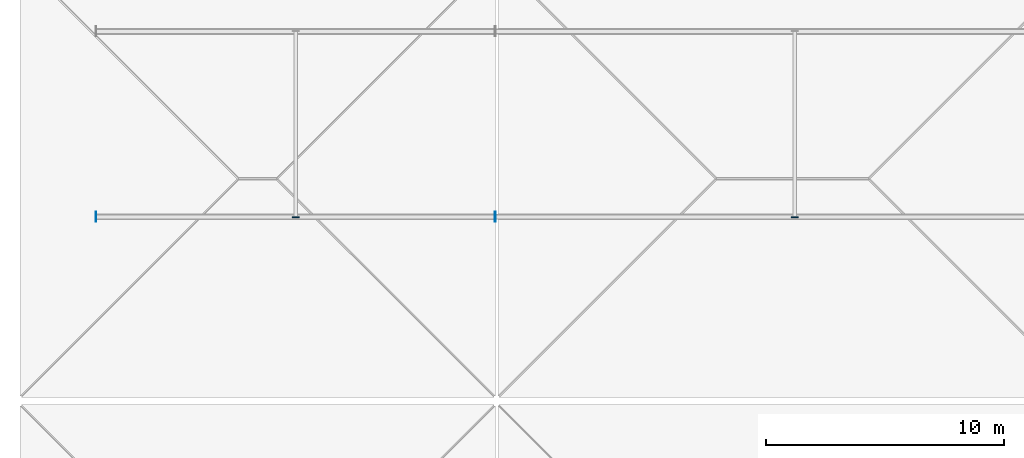
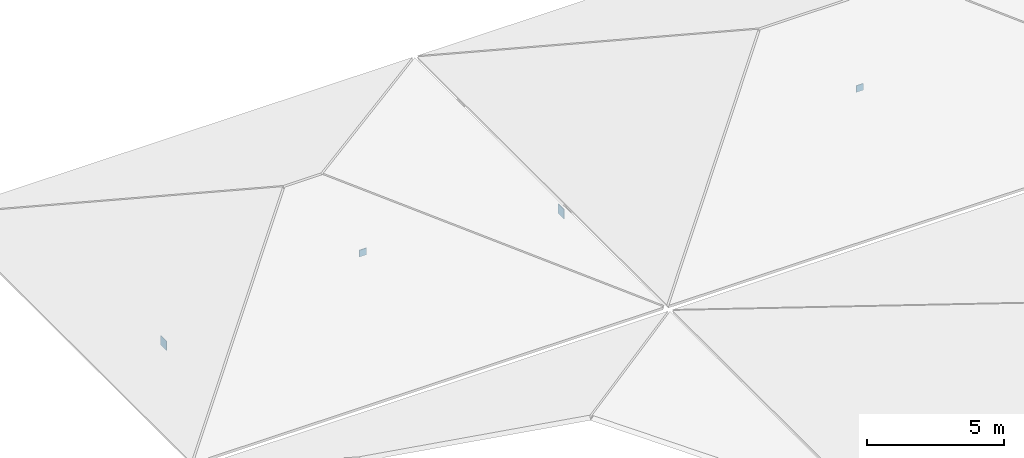
# One storey, part 22 of 41: 5 plates.
"""IFC4 building model written with IfcOpenShell, lengths in metres."""

from ifc_helpers import new_model, si_unit, direction, frame, origin, origin_2d, place, context, subcontext, project, spatial, rectangle, extrude, material, layer, layer_set, type_object, element, save


model = new_model("IFC4")

# Units and contexts
model_context = context("Model", 3, precision=1e-05, world=origin(), true_north=direction((0.0, 1.0)))
body_context = subcontext(model_context, "Body", "Model", "MODEL_VIEW")
ifc_project = project(units=[si_unit("LENGTHUNIT", "METRE"), si_unit("AREAUNIT", "SQUARE_METRE"), si_unit("VOLUMEUNIT", "CUBIC_METRE"), si_unit("PLANEANGLEUNIT", "RADIAN"), si_unit("MASSUNIT", "GRAM", prefix="KILO")], contexts=[model_context])

# Site, building, storey
site_placement = place(None, origin())
site = spatial("IfcSite", under=ifc_project, at=site_placement, CompositionType="ELEMENT")
building_placement = place(site_placement, origin())
building = spatial("IfcBuilding", under=site, at=building_placement, Name="Nabrawat Pavilion Hospital", CompositionType="ELEMENT")
storey_placement = place(building_placement, frame((0.0, 0.0, 18.89990234375)))
storey = spatial("IfcBuildingStorey", under=building, at=storey_placement, Name="L04", CompositionType="ELEMENT", Elevation=18.89990234375)

# Plates
ifc_material = material(Name="Steel S355", Category="steel")
ifc_layer_1 = layer(ifc_material, 0.030029296875, Name="Steel S355")
ifc_layer_set_1 = layer_set([ifc_layer_1], Name="Steel S355")
plate_type_1 = type_object("IfcPlateType", Name="Pavilion Splice Flange Plate 550x550x30", PredefinedType="USERDEFINED", material=ifc_layer_set_1)
for number, where, z_axis, x_axis, name in (
    (1, (25.199951171875, 93.5849609375, 0.61376953125), (0.0, 0.0, 1.0), (1.0, 0.0, 0.0), "Surgical West-North Pavilion Hollow Ridge Purlin End Cap Plate S"),
    (2, (46.199951171875, 93.5849609375, 0.61376953125), (0.0, 0.0, 1.0), (1.0, 0.0, 0.0), "Surgical East-North Pavilion Hollow Ridge Purlin End Cap Plate S"),
):
    element("IfcPlate", number, at=place(storey_placement, frame(where, z_axis=z_axis, x_axis=x_axis)), inside=storey, type_object=plate_type_1, Name=name, ObjectType="FLANGE PLATE", PredefinedType="USERDEFINED", context=body_context, shape_type="SweptSolid", body=[
        extrude(rectangle(XDim=0.300048828125, YDim=0.030029296875, at=origin_2d()), origin(), (0.0, 0.0, 1.0), 0.300048828125),
    ])
ifc_layer_2 = layer(ifc_material, 0.02001953125, Name="Steel S355")
ifc_layer_set_2 = layer_set([ifc_layer_2], Name="Steel S355")
plate_type_2 = type_object("IfcPlateType", Name="Space Frame Interior Gusset Node Plate 420x420x20", PredefinedType="USERDEFINED", material=ifc_layer_set_2)
for number, where, z_axis, x_axis, name in (
    (3, (16.7900390625, 93.60009765625, -0.559814453125), (0.0, 0.0, 1.0), (1.0, 0.0, 0.0), "Surgical West-North Pavilion Tie Chord End Cap Plate 01-W"),
    (4, (33.610107421875, 93.60009765625, -0.559814453125), (0.0, 0.0, 1.0), (1.0, 0.0, 0.0), "Surgical West-North Pavilion Tie Chord End Cap Plate 01-E"),
    (5, (33.590087890625, 93.60009765625, -0.559814453125), (0.0, 0.0, 1.0), (1.0, 0.0, 0.0), "Surgical East-North Pavilion Tie Chord End Cap Plate 01-W"),
):
    element("IfcPlate", number, at=place(storey_placement, frame(where, z_axis=z_axis, x_axis=x_axis)), inside=storey, type_object=plate_type_2, Name=name, ObjectType="GUSSET PLATE", PredefinedType="USERDEFINED", context=body_context, shape_type="SweptSolid", body=[
        extrude(rectangle(XDim=0.02001953125, YDim=0.419921875, at=origin_2d()), origin(), (0.0, 0.0, 1.0), 0.419921875),
    ])

save(model, "model.ifc")
